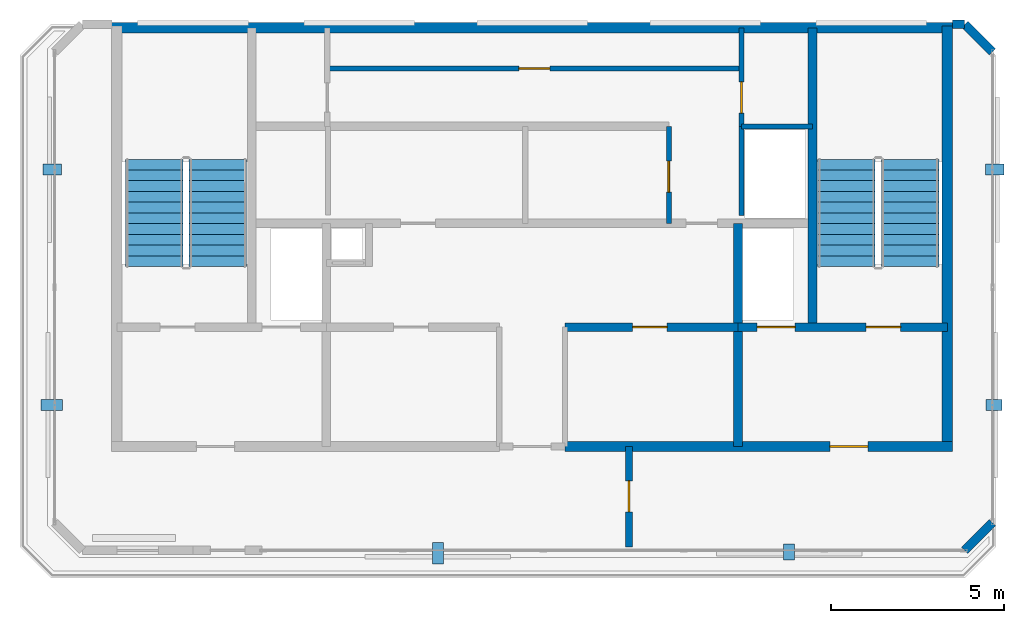
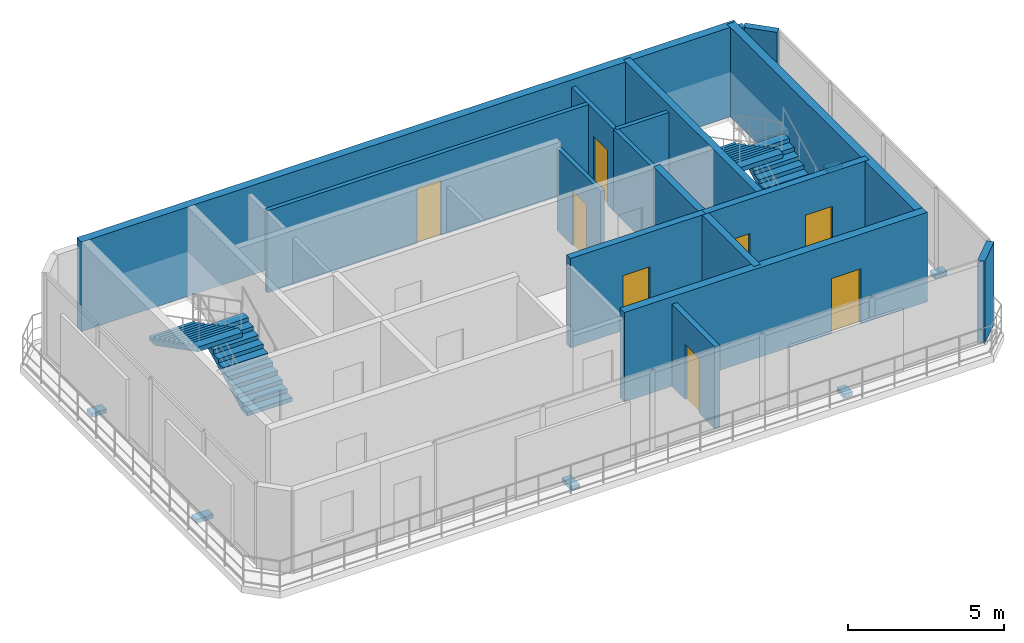
# One storey, part 6 of 7: 16 walls, 8 doors, 6 discrete accessories, 4 stair flights, 8 openings, 2 elements without a shape of their own.
"""IFC4 building model written with IfcOpenShell, lengths in metres."""

from ifc_helpers import new_model, si_unit, direction, frame, frame_2d, origin, origin_2d, place, context, subcontext, project, spatial, polyline, rectangle, outline, extrude, material, layer, layer_set, type_object, element, fill, aggregate, save


model = new_model("IFC4")

# Units and contexts
model_context = context("Model", 3, precision=1e-05, world=origin(), true_north=direction((0.0, 1.0)))
body_context = subcontext(model_context, "Body", "Model", "MODEL_VIEW")
ifc_project = project(units=[si_unit("LENGTHUNIT", "METRE"), si_unit("AREAUNIT", "SQUARE_METRE"), si_unit("VOLUMEUNIT", "CUBIC_METRE"), si_unit("PLANEANGLEUNIT", "RADIAN"), si_unit("MASSUNIT", "GRAM", prefix="KILO")], contexts=[model_context])

# Site, building, storey
site_placement = place(None, origin())
site = spatial("IfcSite", under=ifc_project, at=site_placement, CompositionType="ELEMENT")
building_placement = place(site_placement, origin())
building = spatial("IfcBuilding", under=site, at=building_placement, Name="Catumbela Crestline Tower", CompositionType="ELEMENT")
storey_placement = place(building_placement, frame((0.0, 0.0, 311.5)))
storey = spatial("IfcBuildingStorey", under=building, at=storey_placement, Name="L80", CompositionType="ELEMENT", Elevation=311.5)

# Walls
ifc_material_1 = material(Name="Concrete C50/60", Category="concrete")
ifc_layer_1 = layer(ifc_material_1, 0.25, Name="Concrete C50/60")
ifc_layer_set_1 = layer_set([ifc_layer_1], Name="Concrete C50/60")
wall_type_1 = type_object("IfcWallType", Name="CW-250D", PredefinedType="SHEAR", material=ifc_layer_set_1)
wall_1_placement = place(storey_placement, frame((36.1, 34.25, 0.0), z_axis=(0.0, 0.0, 1.0), x_axis=(0.0, 1.0, 0.0)))
element("IfcWall", 1, at=wall_1_placement, inside=storey, type_object=wall_type_1, Name="L80 Structural Core Shear Wall EWEB", PredefinedType="SHEAR", context=body_context, shape_type="SweptSolid", body=[
    extrude(rectangle(XDim=8.65, YDim=0.25, at=frame_2d((4.325, 0.0))), origin(), (0.0, 0.0, 1.0), 3.5),
])
wall_2_placement = place(storey_placement, frame((33.95, 30.8, 0.0), z_axis=(0.0, 0.0, 1.0), x_axis=(0.0, 1.0, 0.0)))
element("IfcWall", 2, at=wall_2_placement, inside=storey, type_object=wall_type_1, Name="L80 Structural Core Shear Wall FFE", PredefinedType="SHEAR", context=body_context, shape_type="SweptSolid", body=[
    extrude(rectangle(XDim=6.45, YDim=0.25, at=frame_2d((3.225, 0.0))), origin(), (0.0, 0.0, 1.0), 3.5),
])

# Wall, openings, doors
wall_3_placement = place(storey_placement, frame((33.95, 34.25, 0.0), z_axis=(0.0, 0.0, 1.0), x_axis=(1.0, 0.0, 0.0)))
wall_3 = element("IfcWall", 3, at=wall_3_placement, inside=storey, type_object=wall_type_1, Name="L80 Structural Core Shear Wall ST2S", PredefinedType="SHEAR", context=body_context, shape_type="SweptSolid", body=[
    extrude(rectangle(XDim=6.05, YDim=0.25, at=frame_2d((3.025, 0.0))), origin(), (0.0, 0.0, 1.0), 3.5),
])
opening_1_placement = place(wall_3_placement, frame((3.7, 0.0, 0.0)))
opening_1 = element("IfcOpeningElement", 4, at=opening_1_placement, cuts=wall_3, Name="Opening DF9-100", PredefinedType="OPENING", context=body_context, shape_type="SweptSolid", body=[
    extrude(rectangle(XDim=1.0, YDim=2.15, at=frame_2d((0.5, 1.075))), frame((0.0, 0.135, 0.0), z_axis=(0.0, -1.0, 0.0), x_axis=(1.0, 0.0, 0.0)), (0.0, 0.0, 1.0), 0.27),
])
opening_2_placement = place(wall_3_placement, frame((0.55, 0.0, 0.0)))
opening_2 = element("IfcOpeningElement", 5, at=opening_2_placement, cuts=wall_3, Name="Opening LD-110", PredefinedType="OPENING", context=body_context, shape_type="SweptSolid", body=[
    extrude(rectangle(XDim=1.1, YDim=2.15, at=frame_2d((0.55, 1.075))), frame((0.0, 0.135, 0.0), z_axis=(0.0, -1.0, 0.0), x_axis=(1.0, 0.0, 0.0)), (0.0, 0.0, 1.0), 0.27),
])
ifc_material_2 = material(Name="Stainless steel EN 1.4401", Category="steel")
door_type_1 = type_object("IfcDoorType", Name="DF9-100", OperationType="NOTDEFINED", PredefinedType="DOOR", material=ifc_material_2)
door_1_placement = place(opening_1_placement, origin())
door_1 = element("IfcDoor", 6, at=door_1_placement, inside=storey, type_object=door_type_1, Name="L80 Interior Door DR-L80-ST02", OperationType="SINGLE_SWING_RIGHT", OverallHeight=2.15, OverallWidth=1.0, PredefinedType="DOOR", context=body_context, shape_type="SweptSolid", body=[
    extrude(rectangle(XDim=1.0, YDim=2.15, at=frame_2d((0.5, 1.075))), frame((0.0, 0.025, 0.0), z_axis=(0.0, -1.0, 0.0), x_axis=(1.0, 0.0, 0.0)), (0.0, 0.0, 1.0), 0.05),
])
fill(opening_1, door_1)
door_type_2 = type_object("IfcDoorType", Name="LD-110", OperationType="NOTDEFINED", PredefinedType="DOOR", material=ifc_material_2)
door_2_placement = place(opening_2_placement, origin())
door_2 = element("IfcDoor", 7, at=door_2_placement, inside=storey, type_object=door_type_2, Name="L80 Lift Landing Sliding Door FL-02", OperationType="DOUBLE_DOOR_SLIDING", OverallHeight=2.15, OverallWidth=1.1, PredefinedType="DOOR", context=body_context, shape_type="SweptSolid", body=[
    extrude(rectangle(XDim=1.1, YDim=2.15, at=frame_2d((0.55, 1.075))), frame((0.0, 0.025, 0.0), z_axis=(0.0, -1.0, 0.0), x_axis=(1.0, 0.0, 0.0)), (0.0, 0.0, 1.0), 0.05),
])
fill(opening_2, door_2)

# Wall, opening, door
wall_4_placement = place(storey_placement, frame((28.95, 34.25, 0.0), z_axis=(0.0, 0.0, 1.0), x_axis=(1.0, 0.0, 0.0)))
wall_4 = element("IfcWall", 8, at=wall_4_placement, inside=storey, type_object=wall_type_1, Name="L80 Structural Core Shear Wall LIFTS-E", PredefinedType="SHEAR", context=body_context, shape_type="SweptSolid", body=[
    extrude(rectangle(XDim=5.0, YDim=0.25, at=frame_2d((2.5, 0.0))), origin(), (0.0, 0.0, 1.0), 3.5),
])
opening_3_placement = place(wall_4_placement, frame((1.95, 0.0, 0.0)))
opening_3 = element("IfcOpeningElement", 9, at=opening_3_placement, cuts=wall_4, Name="Opening DF9-100", PredefinedType="OPENING", context=body_context, shape_type="SweptSolid", body=[
    extrude(rectangle(XDim=1.0, YDim=2.15, at=frame_2d((0.5, 1.075))), frame((0.0, 0.135, 0.0), z_axis=(0.0, -1.0, 0.0), x_axis=(1.0, 0.0, 0.0)), (0.0, 0.0, 1.0), 0.27),
])
door_3_placement = place(opening_3_placement, origin())
door_3 = element("IfcDoor", 10, at=door_3_placement, inside=storey, type_object=door_type_1, Name="L80 Interior Door DR-L80-RECL2", OperationType="SINGLE_SWING_RIGHT", OverallHeight=2.15, OverallWidth=1.0, PredefinedType="DOOR", context=body_context, shape_type="SweptSolid", body=[
    extrude(rectangle(XDim=1.0, YDim=2.15, at=frame_2d((0.5, 1.075))), frame((0.0, 0.025, 0.0), z_axis=(0.0, -1.0, 0.0), x_axis=(1.0, 0.0, 0.0)), (0.0, 0.0, 1.0), 0.05),
])
fill(opening_3, door_3)

# Wall
ifc_material_3 = material(Name="Concrete C45/55", Category="concrete")
ifc_layer_2 = layer(ifc_material_3, 0.3, Name="Concrete C45/55")
ifc_layer_set_2 = layer_set([ifc_layer_2], Name="Concrete C45/55")
wall_type_2 = type_object("IfcWallType", Name="CW-300C", PredefinedType="SHEAR", material=ifc_layer_set_2)
wall_5_placement = place(storey_placement, frame((40.0, 30.65, 0.0), z_axis=(0.0, 0.0, 1.0), x_axis=(0.0, 1.0, 0.0)))
element("IfcWall", 11, at=wall_5_placement, inside=storey, type_object=wall_type_2, Name="L80 Structural Core Shear Wall E", PredefinedType="SHEAR", context=body_context, shape_type="SweptSolid", body=[
    extrude(rectangle(XDim=12.3, YDim=0.3, at=frame_2d((6.15, 0.0))), origin(), (0.0, 0.0, 1.0), 3.5),
])

# Wall, opening, door
wall_6_placement = place(storey_placement, frame((28.95, 30.8, 0.0), z_axis=(0.0, 0.0, 1.0), x_axis=(1.0, 0.0, 0.0)))
wall_6 = element("IfcWall", 12, at=wall_6_placement, inside=storey, type_object=wall_type_2, Name="L80 Structural Core Shear Wall SE", PredefinedType="SHEAR", context=body_context, shape_type="SweptSolid", body=[
    extrude(rectangle(XDim=11.2, YDim=0.3, at=frame_2d((5.6, 0.0))), origin(), (0.0, 0.0, 1.0), 3.5),
])
opening_4_placement = place(wall_6_placement, frame((7.65, 0.0, 0.0)))
opening_4 = element("IfcOpeningElement", 13, at=opening_4_placement, cuts=wall_6, Name="Opening DF9-110", PredefinedType="OPENING", context=body_context, shape_type="SweptSolid", body=[
    extrude(rectangle(XDim=1.1, YDim=2.15, at=frame_2d((0.55, 1.075))), frame((0.0, 0.16, 0.0), z_axis=(0.0, -1.0, 0.0), x_axis=(1.0, 0.0, 0.0)), (0.0, 0.0, 1.0), 0.32),
])
door_type_3 = type_object("IfcDoorType", Name="DF9-110", OperationType="NOTDEFINED", PredefinedType="DOOR", material=ifc_material_2)
door_4_placement = place(opening_4_placement, origin())
door_4 = element("IfcDoor", 14, at=door_4_placement, inside=storey, type_object=door_type_3, Name="L80 Interior Door DR-L80-FFE-S", OperationType="SINGLE_SWING_RIGHT", OverallHeight=2.15, OverallWidth=1.1, PredefinedType="DOOR", context=body_context, shape_type="SweptSolid", body=[
    extrude(rectangle(XDim=1.1, YDim=2.15, at=frame_2d((0.55, 1.075))), frame((0.0, 0.025, 0.0), z_axis=(0.0, -1.0, 0.0), x_axis=(1.0, 0.0, 0.0)), (0.0, 0.0, 1.0), 0.05),
])
fill(opening_4, door_4)

# Wall
ifc_layer_3 = layer(ifc_material_3, 0.3, Name="Concrete C45/55")
ifc_layer_set_3 = layer_set([ifc_layer_3], Name="Concrete C45/55")
wall_type_3 = type_object("IfcWallType", Name="CW-300E", PredefinedType="SHEAR", material=ifc_layer_set_3)
wall_7_placement = place(storey_placement, frame((15.85, 42.9, 0.0), z_axis=(0.0, 0.0, 1.0), x_axis=(1.0, 0.0, 0.0)))
element("IfcWall", 15, at=wall_7_placement, inside=storey, type_object=wall_type_3, Name="L80 Structural Core Shear Wall N", PredefinedType="SHEAR", context=body_context, shape_type="SweptSolid", body=[
    extrude(rectangle(XDim=24.3, YDim=0.3, at=frame_2d((12.15, 0.0))), origin(), (0.0, 0.0, 1.0), 3.5),
])

# Wall, opening, door
ifc_material_4 = material(Name="Acoustic gypsum and mineral-wool partition")
ifc_layer_4 = layer(ifc_material_4, 0.2, Name="Acoustic gypsum and mineral-wool partition")
ifc_layer_set_4 = layer_set([ifc_layer_4], Name="Acoustic gypsum and mineral-wool partition")
wall_type_4 = type_object("IfcWallType", Name="WC-200", PredefinedType="PARTITIONING", material=ifc_layer_set_4)
wall_8_placement = place(storey_placement, frame((30.8, 27.9, 0.0), z_axis=(0.0, 0.0, 1.0), x_axis=(0.0, 1.0, 0.0)))
wall_8 = element("IfcWall", 16, at=wall_8_placement, inside=storey, type_object=wall_type_4, Name="L80 Interior Partition PW-L80-CRPLT", PredefinedType="PARTITIONING", context=body_context, shape_type="SweptSolid", body=[
    extrude(rectangle(XDim=2.9, YDim=0.2, at=frame_2d((1.45, 0.0))), origin(), (0.0, 0.0, 1.0), 3.21),
])
opening_5_placement = place(wall_8_placement, frame((1.01, 0.0, 0.0)))
opening_5 = element("IfcOpeningElement", 17, at=opening_5_placement, cuts=wall_8, Name="Opening DF9-090", PredefinedType="OPENING", context=body_context, shape_type="SweptSolid", body=[
    extrude(rectangle(XDim=0.9, YDim=2.15, at=frame_2d((0.45, 1.075))), frame((0.0, 0.11, 0.0), z_axis=(0.0, -1.0, 0.0), x_axis=(1.0, 0.0, 0.0)), (0.0, 0.0, 1.0), 0.22),
])
door_type_4 = type_object("IfcDoorType", Name="DF9-090", OperationType="NOTDEFINED", PredefinedType="DOOR", material=ifc_material_2)
door_5_placement = place(opening_5_placement, origin())
door_5 = element("IfcDoor", 18, at=door_5_placement, inside=storey, type_object=door_type_4, Name="L80 Interior Door DR-L80-CRPLT", OperationType="SINGLE_SWING_RIGHT", OverallHeight=2.15, OverallWidth=0.9, PredefinedType="DOOR", context=body_context, shape_type="SweptSolid", body=[
    extrude(rectangle(XDim=0.9, YDim=2.15, at=frame_2d((0.45, 1.075))), frame((0.0, 0.025, 0.0), z_axis=(0.0, -1.0, 0.0), x_axis=(1.0, 0.0, 0.0)), (0.0, 0.0, 1.0), 0.05),
])
fill(opening_5, door_5)

# Walls
ifc_material_5 = material(Name="Angolan grey-ochre granite", Category="masonry")
ifc_layer_5 = layer(ifc_material_5, 0.25, Name="Angolan grey-ochre granite")
ifc_layer_set_5 = layer_set([ifc_layer_5], Name="Angolan grey-ochre granite")
wall_type_5 = type_object("IfcWallType", Name="WE-250", PredefinedType="STANDARD", material=ifc_layer_set_5)
for number, where, z_axis, x_axis, name in (
    (19, (40.5, 27.8, 0.0), (0.0, 0.0, 1.0), (0.707106781187, 0.707106781187, 0.0), "L80 Granite Punched Window Wall 1-1"),
    (20, (41.3, 42.2, 0.0), (0.0, 0.0, 1.0), (-0.707106781187, 0.707106781187, 0.0), "L80 Granite Punched Window Wall 3-1"),
):
    element("IfcWall", number, at=place(storey_placement, frame(where, z_axis=z_axis, x_axis=x_axis)), inside=storey, type_object=wall_type_5, Name=name, PredefinedType="STANDARD", context=body_context, shape_type="SweptSolid", body=[
        extrude(rectangle(XDim=1.1314, YDim=0.25, at=frame_2d((0.5657, 0.0))), origin(), (0.0, 0.0, 1.0), 3.21),
    ])
wall_9_placement = place(storey_placement, frame((40.5, 43.0, 0.0), z_axis=(0.0, 0.0, 1.0), x_axis=(-1.0, 0.0, 0.0)))
element("IfcWall", 21, at=wall_9_placement, inside=storey, type_object=wall_type_5, Name="L80 Granite Punched Window Wall 4-1", PredefinedType="STANDARD", context=body_context, shape_type="SweptSolid", body=[
    extrude(rectangle(XDim=0.36, YDim=0.25, at=frame_2d((0.18, 0.0))), origin(), (0.0, 0.0, 1.0), 3.21),
])
ifc_layer_6 = layer(ifc_material_4, 0.15, Name="Acoustic gypsum and mineral-wool partition")
ifc_layer_set_6 = layer_set([ifc_layer_6], Name="Acoustic gypsum and mineral-wool partition")
wall_type_6 = type_object("IfcWallType", Name="WP-150", PredefinedType="PARTITIONING", material=ifc_layer_set_6)
wall_10_placement = place(storey_placement, frame((34.05, 40.05, 0.0), z_axis=(0.0, 0.0, 1.0), x_axis=(1.0, 0.0, 0.0)))
element("IfcWall", 22, at=wall_10_placement, inside=storey, type_object=wall_type_6, Name="L80 Interior Partition PW-L80-CR-ES", PredefinedType="PARTITIONING", context=body_context, shape_type="SweptSolid", body=[
    extrude(rectangle(XDim=2.05, YDim=0.15, at=frame_2d((1.025, 0.0))), origin(), (0.0, 0.0, 1.0), 3.21),
])

# Wall, opening, door
wall_11_placement = place(storey_placement, frame((34.05, 40.05, 0.0), z_axis=(0.0, 0.0, 1.0), x_axis=(0.0, 1.0, 0.0)))
wall_11 = element("IfcWall", 23, at=wall_11_placement, inside=storey, type_object=wall_type_6, Name="L80 Interior Partition PW-L80-CR-EW", PredefinedType="PARTITIONING", context=body_context, shape_type="SweptSolid", body=[
    extrude(rectangle(XDim=2.85, YDim=0.15, at=frame_2d((1.425, 0.0))), origin(), (0.0, 0.0, 1.0), 3.21),
])
opening_6_placement = place(wall_11_placement, frame((0.385, 0.0, 0.0)))
opening_6 = element("IfcOpeningElement", 24, at=opening_6_placement, cuts=wall_11, Name="Opening DF9-090", PredefinedType="OPENING", context=body_context, shape_type="SweptSolid", body=[
    extrude(rectangle(XDim=0.9, YDim=2.15, at=frame_2d((0.45, 1.075))), frame((0.0, 0.085, 0.0), z_axis=(0.0, -1.0, 0.0), x_axis=(1.0, 0.0, 0.0)), (0.0, 0.0, 1.0), 0.17),
])
door_6_placement = place(opening_6_placement, origin())
door_6 = element("IfcDoor", 25, at=door_6_placement, inside=storey, type_object=door_type_4, Name="L80 Interior Door DR-L80-CREAST", OperationType="SINGLE_SWING_RIGHT", OverallHeight=2.15, OverallWidth=0.9, PredefinedType="DOOR", context=body_context, shape_type="SweptSolid", body=[
    extrude(rectangle(XDim=0.9, YDim=2.15, at=frame_2d((0.45, 1.075))), frame((0.0, 0.025, 0.0), z_axis=(0.0, -1.0, 0.0), x_axis=(1.0, 0.0, 0.0)), (0.0, 0.0, 1.0), 0.05),
])
fill(opening_6, door_6)

wall_12_placement = place(storey_placement, frame((22.08, 41.72, 0.0), z_axis=(0.0, 0.0, 1.0), x_axis=(1.0, 0.0, 0.0)))
wall_12 = element("IfcWall", 26, at=wall_12_placement, inside=storey, type_object=wall_type_6, Name="L80 Interior Partition PW-L80-CR-MID", PredefinedType="PARTITIONING", context=body_context, shape_type="SweptSolid", body=[
    extrude(rectangle(XDim=11.97, YDim=0.15, at=frame_2d((5.985, 0.0))), origin(), (0.0, 0.0, 1.0), 3.21),
])
opening_7_placement = place(wall_12_placement, frame((5.535, 0.0, 0.0)))
opening_7 = element("IfcOpeningElement", 27, at=opening_7_placement, cuts=wall_12, Name="Opening DF9-090", PredefinedType="OPENING", context=body_context, shape_type="SweptSolid", body=[
    extrude(rectangle(XDim=0.9, YDim=2.15, at=frame_2d((0.45, 1.075))), frame((0.0, 0.085, 0.0), z_axis=(0.0, -1.0, 0.0), x_axis=(1.0, 0.0, 0.0)), (0.0, 0.0, 1.0), 0.17),
])
door_7_placement = place(opening_7_placement, origin())
door_7 = element("IfcDoor", 28, at=door_7_placement, inside=storey, type_object=door_type_4, Name="L80 Interior Door DR-L80-CRMID", OperationType="SINGLE_SWING_LEFT", OverallHeight=2.15, OverallWidth=0.9, PredefinedType="DOOR", context=body_context, shape_type="SweptSolid", body=[
    extrude(rectangle(XDim=0.9, YDim=2.15, at=frame_2d((0.45, 1.075))), frame((0.0, 0.025, 0.0), z_axis=(0.0, -1.0, 0.0), x_axis=(1.0, 0.0, 0.0)), (0.0, 0.0, 1.0), 0.05),
])
fill(opening_7, door_7)

ifc_layer_7 = layer(ifc_material_4, 0.15, Name="Acoustic gypsum and mineral-wool partition")
ifc_layer_set_7 = layer_set([ifc_layer_7], Name="Acoustic gypsum and mineral-wool partition")
wall_type_7 = type_object("IfcWallType", Name="WS-150", PredefinedType="PLUMBINGWALL", material=ifc_layer_set_7)
wall_13_placement = place(storey_placement, frame((31.95, 37.25, 0.0), z_axis=(0.0, 0.0, 1.0), x_axis=(0.0, 1.0, 0.0)))
wall_13 = element("IfcWall", 29, at=wall_13_placement, inside=storey, type_object=wall_type_7, Name="L80 Interior Partition PW-L80-SHEX2E", PredefinedType="PLUMBINGWALL", context=body_context, shape_type="SweptSolid", body=[
    extrude(rectangle(XDim=2.8, YDim=0.15, at=frame_2d((1.4, 0.0))), origin(), (0.0, 0.0, 1.0), 3.21),
])
opening_8_placement = place(wall_13_placement, frame((0.9, 0.0, 0.0)))
opening_8 = element("IfcOpeningElement", 30, at=opening_8_placement, cuts=wall_13, Name="Opening DF9-090", PredefinedType="OPENING", context=body_context, shape_type="SweptSolid", body=[
    extrude(rectangle(XDim=0.9, YDim=2.15, at=frame_2d((0.45, 1.075))), frame((0.0, 0.085, 0.0), z_axis=(0.0, -1.0, 0.0), x_axis=(1.0, 0.0, 0.0)), (0.0, 0.0, 1.0), 0.17),
])
door_8_placement = place(opening_8_placement, origin())
door_8 = element("IfcDoor", 31, at=door_8_placement, inside=storey, type_object=door_type_4, Name="L80 Interior Door DR-L80-RECEX", OperationType="SINGLE_SWING_LEFT", OverallHeight=2.15, OverallWidth=0.9, PredefinedType="DOOR", context=body_context, shape_type="SweptSolid", body=[
    extrude(rectangle(XDim=0.9, YDim=2.15, at=frame_2d((0.45, 1.075))), frame((0.0, 0.025, 0.0), z_axis=(0.0, -1.0, 0.0), x_axis=(1.0, 0.0, 0.0)), (0.0, 0.0, 1.0), 0.05),
])
fill(opening_8, door_8)

# Wall
wall_14_placement = place(storey_placement, frame((34.05, 37.4734, 0.0), z_axis=(0.0, 0.0, 1.0), x_axis=(0.0, 1.0, 0.0)))
element("IfcWall", 32, at=wall_14_placement, inside=storey, type_object=wall_type_7, Name="L80 Interior Partition PW-L80-RISW", PredefinedType="PLUMBINGWALL", context=body_context, shape_type="SweptSolid", body=[
    extrude(rectangle(XDim=2.5766, YDim=0.15, at=frame_2d((1.2883, 0.0))), origin(), (0.0, 0.0, 1.0), 3.21),
])

# Stair, stair flights
stair_type = type_object("IfcStairType", Name="ST-DLG", PredefinedType="HALF_TURN_STAIR", material=ifc_material_3)
stair_1_placement = place(storey_placement, origin())
stair_1 = element("IfcStair", 33, at=stair_1_placement, inside=storey, type_object=stair_type, Name="L80 West Core Pressurised Exit Stair ST-01", PredefinedType="HALF_TURN_STAIR")
stair_flight_type = type_object("IfcStairFlightType", Name="SF-1591", PredefinedType="STRAIGHT", material=ifc_material_3)
stair_flight_1_placement = place(storey_placement, frame((18.92, 36.0, 0.0), z_axis=(0.0, 0.0, 1.0), x_axis=(0.0, 1.0, 0.0)))
stair_flight_1 = element("IfcStairFlight", 34, at=stair_flight_1_placement, type_object=stair_flight_type, Name="ST-01 flight 1", NumberOfRisers=11, NumberOfTreads=10, PredefinedType="STRAIGHT", RiserHeight=0.159090909, TreadLength=0.31, context=body_context, shape_type="SweptSolid", body=[
    extrude(outline(polyline([(0.0, 0.0), (0.0, 0.1591), (0.31, 0.1591), (0.31, 0.3182), (0.62, 0.3182), (0.62, 0.4773), (0.93, 0.4773), (0.93, 0.6364), (1.24, 0.6364), (1.24, 0.7955), (1.55, 0.7955), (1.55, 0.9545), (1.86, 0.9545), (1.86, 1.1136), (2.17, 1.1136), (2.17, 1.2727), (2.48, 1.2727), (2.48, 1.4318), (2.79, 1.4318), (2.79, 1.5909), (3.1, 1.5909), (3.1, 1.75), (3.1, 1.4111), (0.3504, 0.0), (0.0, 0.0)])), frame((0.0, 0.83, 0.0), z_axis=(0.0, -1.0, 0.0), x_axis=(1.0, 0.0, 0.0)), (0.0, 0.0, 1.0), 1.66),
])
stair_flight_2_placement = place(storey_placement, frame((17.08, 39.1, 1.75), z_axis=(0.0, 0.0, 1.0), x_axis=(0.0, -1.0, 0.0)))
stair_flight_2 = element("IfcStairFlight", 35, at=stair_flight_2_placement, type_object=stair_flight_type, Name="ST-01 flight 2", NumberOfRisers=11, NumberOfTreads=10, PredefinedType="STRAIGHT", RiserHeight=0.159090909, TreadLength=0.31, context=body_context, shape_type="SweptSolid", body=[
    extrude(outline(polyline([(0.0, 0.0), (0.0, 0.1591), (0.31, 0.1591), (0.31, 0.3182), (0.62, 0.3182), (0.62, 0.4773), (0.93, 0.4773), (0.93, 0.6364), (1.24, 0.6364), (1.24, 0.7955), (1.55, 0.7955), (1.55, 0.9545), (1.86, 0.9545), (1.86, 1.1136), (2.17, 1.1136), (2.17, 1.2727), (2.48, 1.2727), (2.48, 1.4318), (2.79, 1.4318), (2.79, 1.5909), (3.1, 1.5909), (3.1, 1.75), (3.1, 1.4111), (0.3504, 0.0), (0.0, 0.0)])), frame((0.0, 0.83, 0.0), z_axis=(0.0, -1.0, 0.0), x_axis=(1.0, 0.0, 0.0)), (0.0, 0.0, 1.0), 1.66),
])
aggregate(stair_1, [stair_flight_1, stair_flight_2])

stair_2_placement = place(storey_placement, origin())
stair_2 = element("IfcStair", 36, at=stair_2_placement, inside=storey, type_object=stair_type, Name="L80 East Core Pressurised Exit Stair ST-02", PredefinedType="HALF_TURN_STAIR")
stair_flight_3_placement = place(storey_placement, frame((38.92, 36.0, 0.0), z_axis=(0.0, 0.0, 1.0), x_axis=(0.0, 1.0, 0.0)))
stair_flight_3 = element("IfcStairFlight", 37, at=stair_flight_3_placement, type_object=stair_flight_type, Name="ST-02 flight 1", NumberOfRisers=11, NumberOfTreads=10, PredefinedType="STRAIGHT", RiserHeight=0.159090909, TreadLength=0.31, context=body_context, shape_type="SweptSolid", body=[
    extrude(outline(polyline([(0.0, 0.0), (0.0, 0.1591), (0.31, 0.1591), (0.31, 0.3182), (0.62, 0.3182), (0.62, 0.4773), (0.93, 0.4773), (0.93, 0.6364), (1.24, 0.6364), (1.24, 0.7955), (1.55, 0.7955), (1.55, 0.9545), (1.86, 0.9545), (1.86, 1.1136), (2.17, 1.1136), (2.17, 1.2727), (2.48, 1.2727), (2.48, 1.4318), (2.79, 1.4318), (2.79, 1.5909), (3.1, 1.5909), (3.1, 1.75), (3.1, 1.4111), (0.3504, 0.0), (0.0, 0.0)])), frame((0.0, 0.83, 0.0), z_axis=(0.0, -1.0, 0.0), x_axis=(1.0, 0.0, 0.0)), (0.0, 0.0, 1.0), 1.66),
])
stair_flight_4_placement = place(storey_placement, frame((37.08, 39.1, 1.75), z_axis=(0.0, 0.0, 1.0), x_axis=(0.0, -1.0, 0.0)))
stair_flight_4 = element("IfcStairFlight", 38, at=stair_flight_4_placement, type_object=stair_flight_type, Name="ST-02 flight 2", NumberOfRisers=11, NumberOfTreads=10, PredefinedType="STRAIGHT", RiserHeight=0.159090909, TreadLength=0.31, context=body_context, shape_type="SweptSolid", body=[
    extrude(outline(polyline([(0.0, 0.0), (0.0, 0.1591), (0.31, 0.1591), (0.31, 0.3182), (0.62, 0.3182), (0.62, 0.4773), (0.93, 0.4773), (0.93, 0.6364), (1.24, 0.6364), (1.24, 0.7955), (1.55, 0.7955), (1.55, 0.9545), (1.86, 0.9545), (1.86, 1.1136), (2.17, 1.1136), (2.17, 1.2727), (2.48, 1.2727), (2.48, 1.4318), (2.79, 1.4318), (2.79, 1.5909), (3.1, 1.5909), (3.1, 1.75), (3.1, 1.4111), (0.3504, 0.0), (0.0, 0.0)])), frame((0.0, 0.83, 0.0), z_axis=(0.0, -1.0, 0.0), x_axis=(1.0, 0.0, 0.0)), (0.0, 0.0, 1.0), 1.66),
])
aggregate(stair_2, [stair_flight_3, stair_flight_4])

# Discrete accessories
discrete_accessory_type = type_object("IfcDiscreteAccessoryType", Name="BK-SS1", PredefinedType="BRACKET", material=ifc_material_2)
discrete_accessory_1_placement = place(storey_placement, frame((25.275, 27.715, -0.18), z_axis=(0.0, 0.0, 1.0), x_axis=(1.0, 0.0, 0.0)))
element("IfcDiscreteAccessory", 39, at=discrete_accessory_1_placement, inside=storey, type_object=discrete_accessory_type, Name="L80 Solar Screen Stainless Bracket 965", PredefinedType="BRACKET", context=body_context, shape_type="SweptSolid", body=[
    extrude(rectangle(XDim=0.32, YDim=0.62, at=origin_2d()), origin(), (0.0, 0.0, 1.0), 0.16),
])
for number, where, z_axis, x_axis, name in (
    (40, (35.425, 27.755, -0.18), (0.0, 0.0, 1.0), (1.0, 0.0, 0.0), "L80 Solar Screen Stainless Bracket 966"),
    (41, (41.345, 32.0, -0.18), (0.0, 0.0, 1.0), (0.0, 1.0, 0.0), "L80 Solar Screen Stainless Bracket 967"),
):
    element("IfcDiscreteAccessory", number, at=place(storey_placement, frame(where, z_axis=z_axis, x_axis=x_axis)), inside=storey, type_object=discrete_accessory_type, Name=name, PredefinedType="BRACKET", context=body_context, shape_type="SweptSolid", body=[
        extrude(rectangle(XDim=0.32, YDim=0.46, at=origin_2d()), origin(), (0.0, 0.0, 1.0), 0.16),
    ])
for number, where, z_axis, x_axis, name in (
    (42, (41.365, 38.8, -0.18), (0.0, 0.0, 1.0), (0.0, 1.0, 0.0), "L80 Solar Screen Stainless Bracket 968"),
    (43, (14.135, 38.8, -0.18), (0.0, 0.0, 1.0), (0.0, -1.0, 0.0), "L80 Solar Screen Stainless Bracket 969"),
):
    element("IfcDiscreteAccessory", number, at=place(storey_placement, frame(where, z_axis=z_axis, x_axis=x_axis)), inside=storey, type_object=discrete_accessory_type, Name=name, PredefinedType="BRACKET", context=body_context, shape_type="SweptSolid", body=[
        extrude(rectangle(XDim=0.32, YDim=0.54, at=origin_2d()), origin(), (0.0, 0.0, 1.0), 0.16),
    ])
discrete_accessory_2_placement = place(storey_placement, frame((14.115, 32.0, -0.18), z_axis=(0.0, 0.0, 1.0), x_axis=(0.0, -1.0, 0.0)))
element("IfcDiscreteAccessory", 44, at=discrete_accessory_2_placement, inside=storey, type_object=discrete_accessory_type, Name="L80 Solar Screen Stainless Bracket 970", PredefinedType="BRACKET", context=body_context, shape_type="SweptSolid", body=[
    extrude(rectangle(XDim=0.32, YDim=0.62, at=origin_2d()), origin(), (0.0, 0.0, 1.0), 0.16),
])

save(model, "model.ifc")
